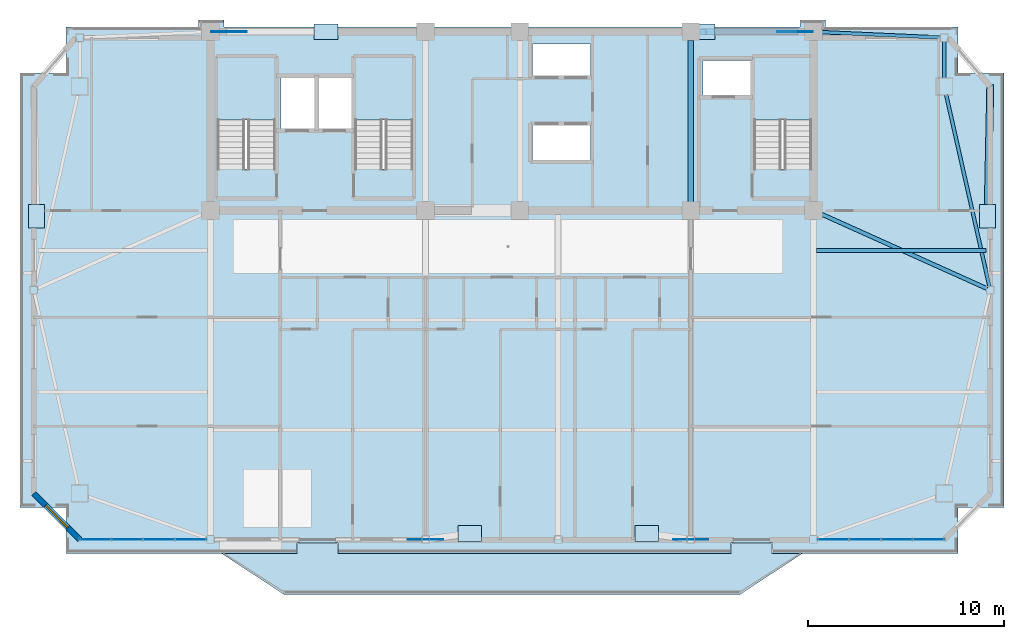
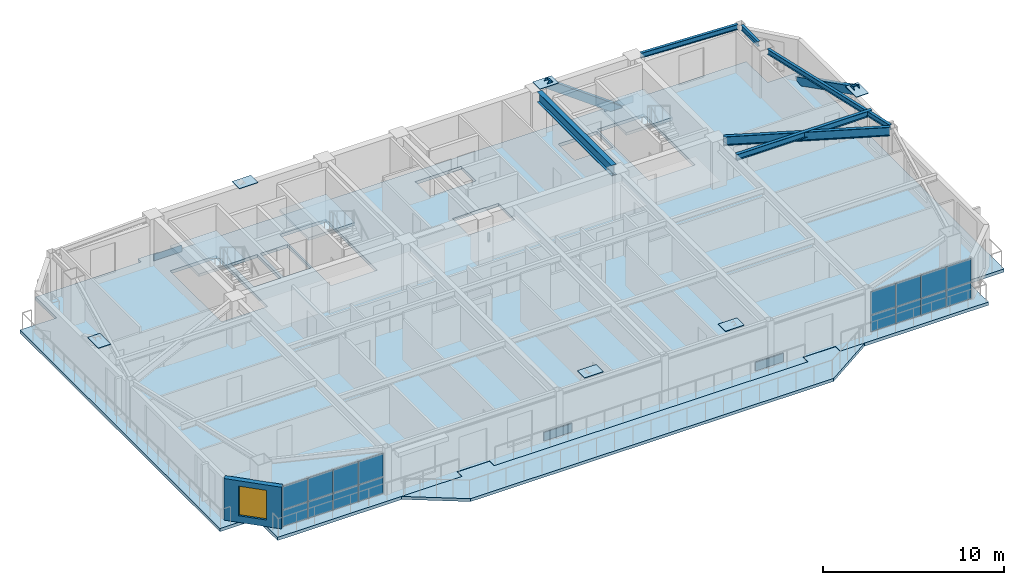
# One storey, part 5 of 14: 26 plates, 6 beams, 5 slabs, 2 members, 1 wall, 1 window, 1 opening, 5 elements without a shape of their own.
"""IFC4 building model written with IfcOpenShell, lengths in metres."""

from ifc_helpers import new_model, si_unit, direction, frame, frame_2d, origin, origin_2d, place, context, subcontext, project, spatial, polyline, rectangle, hollow_rectangle, i_section, outline, extrude, source, transform, mapped, material, layer, layer_set, material_profile, profile_set, type_object, element, fill, aggregate, save


model = new_model("IFC4")

# Units and contexts
model_context = context("Model", 3, precision=1e-05, world=origin(), true_north=direction((0.0, 1.0)))
body_context = subcontext(model_context, "Body", "Model", "MODEL_VIEW")
ifc_project = project(units=[si_unit("LENGTHUNIT", "METRE"), si_unit("AREAUNIT", "SQUARE_METRE"), si_unit("VOLUMEUNIT", "CUBIC_METRE"), si_unit("PLANEANGLEUNIT", "RADIAN"), si_unit("MASSUNIT", "GRAM", prefix="KILO")], contexts=[model_context])

# Site, building, storey
site_placement = place(None, origin())
site = spatial("IfcSite", under=ifc_project, at=site_placement, CompositionType="ELEMENT")
building_placement = place(site_placement, origin())
building = spatial("IfcBuilding", under=site, at=building_placement, Name="Giltprow Tower", CompositionType="ELEMENT")
storey_placement = place(building_placement, frame((0.0, 0.0, 314.199951171875)))
storey = spatial("IfcBuildingStorey", under=building, at=storey_placement, Name="L81", CompositionType="ELEMENT", Elevation=314.199951171875)

# Beams
ifc_material_1 = material(Name="Structural steel Q355B", Category="steel")
ifc_material_profile_1 = material_profile(ifc_material_1, i_section(OverallWidth=0.300048828125, OverallDepth=0.699951171875, WebThickness=0.012939453125, FlangeThickness=0.02392578125, at=origin_2d()), Name="HN 700x300x13x24")
ifc_profile_set_1 = profile_set([ifc_material_profile_1], Name="Structural steel Q355B")
beam_type_1 = type_object("IfcBeamType", Name="BM-GIRD-HN700", PredefinedType="BEAM", material=ifc_profile_set_1)
shared_shape_1 = source(origin(), body_context, "Body", "SweptSolid", [
    extrude(i_section(OverallWidth=0.300048828125, OverallDepth=0.699951171875, WebThickness=0.012939453125, FlangeThickness=0.02392578125, at=origin_2d()), origin(), (0.0, 0.0, 1.0), 8.22998046875),
])
beam_1_placement = place(storey_placement, frame((44.300048828125, 37.885009765625, 2.8349609375), z_axis=(0.0, 1.0, 0.0), x_axis=(-1.0, 0.0, 0.0)))
element("IfcBeam", 1, at=beam_1_placement, inside=storey, type_object=beam_type_1, Name="L81 Core Tie Girder M3", PredefinedType="BEAM", context=body_context, shape_type="MappedRepresentation", body=[
    mapped(shared_shape_1, transform((0.0, 0.0, 0.0), x_axis=(1.0, 0.0, 0.0), y_axis=(0.0, 1.0, 0.0), z_axis=(0.0, 0.0, 1.0), scale=1.0)),
])
ifc_material_profile_2 = material_profile(ifc_material_1, i_section(OverallWidth=0.175048828125, OverallDepth=0.35009765625, WebThickness=0.007080078125, FlangeThickness=0.010986328125, at=origin_2d()), Name="HN 350x175x7x11")
ifc_profile_set_2 = profile_set([ifc_material_profile_2], Name="Structural steel Q355B")
beam_type_2 = type_object("IfcBeamType", Name="BM-SPAN-HN350", PredefinedType="SPANDREL", material=ifc_profile_set_2)
shared_shape_2 = source(origin(), body_context, "Body", "SweptSolid", [
    extrude(i_section(OverallWidth=0.175048828125, OverallDepth=0.35009765625, WebThickness=0.007080078125, FlangeThickness=0.010986328125, at=origin_2d()), origin(), (0.0, 0.0, 1.0), 10.0009765625),
])
beam_2_placement = place(storey_placement, frame((59.5048828125, 33.58203125, 3.010009765625), z_axis=(-0.22006980481, 0.975484126478, 0.0), x_axis=(-0.975484126478, -0.22006980481, 0.0)))
element("IfcBeam", 2, at=beam_2_placement, inside=storey, type_object=beam_type_2, Name="L81 Perimeter Spandrel Beam E_MID-MC_NE", PredefinedType="SPANDREL", context=body_context, shape_type="MappedRepresentation", body=[
    mapped(shared_shape_2, transform((0.0, 0.0, 0.0), x_axis=(1.0, 0.0, 0.0), y_axis=(0.0, 1.0, 0.0), z_axis=(0.0, 0.0, 1.0), scale=1.0)),
])
shared_shape_3 = source(origin(), body_context, "Body", "SweptSolid", [
    extrude(i_section(OverallWidth=0.175048828125, OverallDepth=0.35009765625, WebThickness=0.007080078125, FlangeThickness=0.010986328125, at=origin_2d()), origin(), (0.0, 0.0, 1.0), 1.867919921875),
])
beam_3_placement = place(storey_placement, frame((57.2080078125, 44.197021484375, 3.010009765625), z_axis=(0.0, 1.0, 0.0), x_axis=(-1.0, 0.0, 0.0)))
element("IfcBeam", 3, at=beam_3_placement, inside=storey, type_object=beam_type_2, Name="L81 Perimeter Spandrel Beam MC_NE-N_E", PredefinedType="SPANDREL", context=body_context, shape_type="MappedRepresentation", body=[
    mapped(shared_shape_3, transform((0.0, 0.0, 0.0), x_axis=(1.0, 0.0, 0.0), y_axis=(0.0, 1.0, 0.0), z_axis=(0.0, 0.0, 1.0), scale=1.0)),
])
shared_shape_4 = source(origin(), body_context, "Body", "SweptSolid", [
    extrude(i_section(OverallWidth=0.175048828125, OverallDepth=0.35009765625, WebThickness=0.007080078125, FlangeThickness=0.010986328125, at=origin_2d()), origin(), (0.0, 0.0, 1.0), 6.0439453125),
])
beam_4_placement = place(storey_placement, frame((50.985107421875, 46.530029296875, 3.010009765625), z_axis=(0.998987029612, -0.044999051837, 0.0), x_axis=(0.044999051837, 0.998987029612, 0.0)))
element("IfcBeam", 4, at=beam_4_placement, inside=storey, type_object=beam_type_2, Name="L81 North Wing Spandrel E", PredefinedType="SPANDREL", context=body_context, shape_type="MappedRepresentation", body=[
    mapped(shared_shape_4, transform((0.0, 0.0, 0.0), x_axis=(1.0, 0.0, 0.0), y_axis=(0.0, 1.0, 0.0), z_axis=(0.0, 0.0, 1.0), scale=1.0)),
])
ifc_material_profile_3 = material_profile(ifc_material_1, i_section(OverallWidth=0.199951171875, OverallDepth=0.60009765625, WebThickness=0.010986328125, FlangeThickness=0.01708984375, at=origin_2d()), Name="HN 600x200x11x17")
ifc_profile_set_3 = profile_set([ifc_material_profile_3], Name="Structural steel Q355B")
beam_type_3 = type_object("IfcBeamType", Name="BM-GIRD-HN600", PredefinedType="BEAM", material=ifc_profile_set_3)
shared_shape_5 = source(origin(), body_context, "Body", "SweptSolid", [
    extrude(i_section(OverallWidth=0.199951171875, OverallDepth=0.60009765625, WebThickness=0.010986328125, FlangeThickness=0.01708984375, at=origin_2d()), origin(), (0.0, 0.0, 1.0), 9.243896484375),
])
beam_5_placement = place(storey_placement, frame((59.376953125, 33.47802734375, 2.885009765625), z_axis=(-0.911941765228, 0.410319652019, 0.0), x_axis=(-0.410319652019, -0.911941765228, 0.0)))
element("IfcBeam", 5, at=beam_5_placement, inside=storey, type_object=beam_type_3, Name="L81 East Wing Primary Girder", PredefinedType="BEAM", context=body_context, shape_type="MappedRepresentation", body=[
    mapped(shared_shape_5, transform((0.0, 0.0, 0.0), x_axis=(1.0, 0.0, 0.0), y_axis=(0.0, 1.0, 0.0), z_axis=(0.0, 0.0, 1.0), scale=1.0)),
])
ifc_material_profile_4 = material_profile(ifc_material_1, i_section(OverallWidth=0.199951171875, OverallDepth=0.39990234375, WebThickness=0.008056640625, FlangeThickness=0.012939453125, at=origin_2d()), Name="HN 400x200x8x13")
ifc_profile_set_4 = profile_set([ifc_material_profile_4], Name="Structural steel Q355B")
beam_type_4 = type_object("IfcBeamType", Name="BM-JOIST-HN400", PredefinedType="JOIST", material=ifc_profile_set_4)
shared_shape_6 = source(origin(), body_context, "Body", "SweptSolid", [
    extrude(i_section(OverallWidth=0.199951171875, OverallDepth=0.39990234375, WebThickness=0.008056640625, FlangeThickness=0.012939453125, at=origin_2d()), origin(), (0.0, 0.0, 1.0), 8.630859375),
])
beam_6_placement = place(storey_placement, frame((50.695068359375, 35.426025390625, 2.985107421875), z_axis=(1.0, 0.0, 0.0), x_axis=(0.0, 1.0, 0.0)))
element("IfcBeam", 6, at=beam_6_placement, inside=storey, type_object=beam_type_4, Name="L81 East Wing Floor Joist 2", PredefinedType="JOIST", context=body_context, shape_type="MappedRepresentation", body=[
    mapped(shared_shape_6, transform((0.0, 0.0, 0.0), x_axis=(1.0, 0.0, 0.0), y_axis=(0.0, 1.0, 0.0), z_axis=(0.0, 0.0, 1.0), scale=1.0)),
])

# Members
ifc_material_2 = material(Name="Structural steel Q420GJC", Category="steel")
ifc_material_profile_5 = material_profile(ifc_material_2, hollow_rectangle(XDim=0.35009765625, YDim=0.5, WallThickness=0.02392578125, at=origin_2d()), Name="RHS 500x350x24")
ifc_profile_set_5 = profile_set([ifc_material_profile_5], Name="Structural steel Q420GJC")
member_type = type_object("IfcMemberType", Name="MBR-MEGA-RHS500", PredefinedType="BRACE", material=ifc_profile_set_5)
shared_shape_7 = source(origin(), body_context, "Body", "SweptSolid", [
    extrude(hollow_rectangle(XDim=0.35009765625, YDim=0.5, WallThickness=0.02392578125, at=origin_2d()), origin(), (0.0, 0.0, 1.0), 5.774169921875),
])
member_1_placement = place(storey_placement, frame((49.60009765625, 46.550048828125, -0.139892578125), z_axis=(-0.808264093398, 0.0, 0.588820138348), x_axis=(0.0, -1.0, 0.0)))
element("IfcMember", 7, at=member_1_placement, inside=storey, type_object=member_type, Name="L81 Chevron Mega-Brace N-R", PredefinedType="BRACE", context=body_context, shape_type="MappedRepresentation", body=[
    mapped(shared_shape_7, transform((0.0, 0.0, 0.0), x_axis=(1.0, 0.0, 0.0), y_axis=(0.0, 1.0, 0.0), z_axis=(0.0, 0.0, 1.0), scale=1.0)),
])
shared_shape_8 = source(origin(), body_context, "Body", "SweptSolid", [
    extrude(hollow_rectangle(XDim=0.35009765625, YDim=0.5, WallThickness=0.02392578125, at=origin_2d()), origin(), (0.0, 0.0, 1.0), 7.435546875),
])
member_2_placement = place(storey_placement, frame((59.5458984375, 43.761962890625, 0.0), z_axis=(-0.018551504183, -0.889125985437, 0.457286369481), x_axis=(0.999782399503, -0.020860336634, 0.0)))
element("IfcMember", 8, at=member_2_placement, inside=storey, type_object=member_type, Name="L81 Chevron Mega-Brace E-D", PredefinedType="BRACE", context=body_context, shape_type="MappedRepresentation", body=[
    mapped(shared_shape_8, transform((0.0, 0.0, 0.0), x_axis=(1.0, 0.0, 0.0), y_axis=(0.0, 1.0, 0.0), z_axis=(0.0, 0.0, 1.0), scale=1.0)),
])

# Slabs
ifc_material_3 = material(Name="Concrete C40", Category="concrete")
ifc_layer_1 = layer(ifc_material_3, 0.199951171875, Name="Concrete C40")
ifc_layer_set_1 = layer_set([ifc_layer_1], Name="Concrete C40")
slab_type_1 = type_object("IfcSlabType", Name="SLB-BALC-BRONZE-200", PredefinedType="FLOOR", material=ifc_layer_set_1)
slab_1_placement = place(storey_placement, frame((0.0, 0.0, -0.199951171875)))
element("IfcSlab", 9, at=slab_1_placement, inside=storey, type_object=slab_type_1, Name="L81 Bronze Prow Waterfront Balcony Slab", PredefinedType="FLOOR", context=body_context, shape_type="SweptSolid", body=[
    extrude(outline(polyline([(50.0, 20.00390625), (46.800048828125, 17.904052734375), (23.60009765625, 17.904052734375), (20.39990234375, 20.00390625), (24.280029296875, 20.00390625), (24.280029296875, 20.50390625), (26.320068359375, 20.50390625), (26.320068359375, 20.00390625), (46.3798828125, 20.00390625), (46.3798828125, 20.50390625), (48.419921875, 20.50390625), (48.419921875, 20.00390625), (50.0, 20.00390625)])), origin(), (0.0, 0.0, 1.0), 0.199951171875),
])
ifc_layer_2 = layer(ifc_material_3, 0.215087890625, Name="Concrete C40")
ifc_layer_set_2 = layer_set([ifc_layer_2], Name="Concrete C40")
slab_type_2 = type_object("IfcSlabType", Name="SLB-RES-215", PredefinedType="FLOOR", material=ifc_layer_set_2)
slab_2_placement = place(storey_placement, frame((0.0, 0.0, -0.21484375)))
element("IfcSlab", 10, at=slab_2_placement, inside=storey, type_object=slab_type_2, Name="L81 Structural Composite Floor Slab", PredefinedType="FLOOR", context=body_context, shape_type="SweptSolid", body=[
    extrude(outline(polyline([(60.24609375, 44.4619140625), (60.24609375, 22.342041015625), (57.907958984375, 22.342041015625), (57.907958984375, 20.00390625), (48.449951171875, 20.00390625), (48.449951171875, 20.52392578125), (46.35009765625, 20.52392578125), (46.35009765625, 20.00390625), (26.35009765625, 20.00390625), (26.35009765625, 20.52392578125), (24.25, 20.52392578125), (24.25, 20.00390625), (12.492919921875, 20.00390625), (12.492919921875, 22.342041015625), (10.155029296875, 22.342041015625), (10.155029296875, 44.4619140625), (12.492919921875, 44.4619140625), (12.492919921875, 46.800048828125), (19.25, 46.800048828125), (19.25, 47.14990234375), (20.550048828125, 47.14990234375), (20.550048828125, 46.800048828125), (49.85009765625, 46.800048828125), (49.85009765625, 47.14990234375), (51.14990234375, 47.14990234375), (51.14990234375, 46.800048828125), (57.907958984375, 46.800048828125), (57.907958984375, 44.4619140625), (60.24609375, 44.4619140625)]), holes=[polyline([(39.18994140625, 41.800048828125), (36.239990234375, 41.800048828125), (36.239990234375, 40.0), (39.18994140625, 40.0), (39.18994140625, 41.800048828125)]), polyline([(23.159912109375, 39.570068359375), (23.159912109375, 45.25), (20.199951171875, 45.25), (20.199951171875, 39.570068359375), (23.159912109375, 39.570068359375)]), polyline([(30.159912109375, 39.570068359375), (30.159912109375, 45.25), (27.199951171875, 45.25), (27.199951171875, 39.570068359375), (30.159912109375, 39.570068359375)]), polyline([(50.4599609375, 45.25), (47.5, 45.25), (47.5, 39.570068359375), (50.4599609375, 39.570068359375), (50.4599609375, 45.25)]), polyline([(25.169921875, 44.199951171875), (23.449951171875, 44.199951171875), (23.449951171875, 41.60009765625), (25.169921875, 41.60009765625), (25.169921875, 44.199951171875)]), polyline([(27.10009765625, 44.199951171875), (25.35009765625, 44.199951171875), (25.35009765625, 41.60009765625), (27.10009765625, 41.60009765625), (27.10009765625, 44.199951171875)]), polyline([(47.3798828125, 43.300048828125), (47.3798828125, 45.10009765625), (44.919921875, 45.10009765625), (44.919921875, 43.300048828125), (47.3798828125, 43.300048828125)]), polyline([(39.18994140625, 44.300048828125), (39.18994140625, 45.919921875), (36.239990234375, 45.919921875), (36.239990234375, 44.300048828125), (39.18994140625, 44.300048828125)])]), origin(), (0.0, 0.0, 1.0), 0.21484375),
])

# Stair, slab
stair_type_1 = type_object("IfcStairType", Name="STR-ST-1", PredefinedType="HALF_TURN_STAIR", material=ifc_material_3)
stair_1_placement = place(storey_placement, origin())
stair_1 = element("IfcStair", 11, at=stair_1_placement, inside=storey, type_object=stair_type_1, Name="L81 Core Exit Stair ST-1", PredefinedType="HALF_TURN_STAIR")
ifc_layer_3 = layer(ifc_material_3, 0.179931640625, Name="Concrete C40")
ifc_layer_set_3 = layer_set([ifc_layer_3], Name="Concrete C40")
slab_type_3 = type_object("IfcSlabType", Name="SLD-ST-1", PredefinedType="LANDING", material=ifc_layer_set_3)
slab_3_placement = place(storey_placement, frame((0.0, 0.0, 1.52001953125)))
slab_3 = element("IfcSlab", 12, at=slab_3_placement, type_object=slab_type_3, Name="ST-1 landing 1", PredefinedType="LANDING", context=body_context, shape_type="SweptSolid", body=[
    extrude(outline(polyline([(23.159912109375, 42.070068359375), (23.159912109375, 45.25), (20.199951171875, 45.25), (20.199951171875, 42.070068359375), (23.159912109375, 42.070068359375)])), origin(), (0.0, 0.0, 1.0), 0.179931640625),
])
aggregate(stair_1, [slab_3])

stair_type_2 = type_object("IfcStairType", Name="STR-ST-2", PredefinedType="HALF_TURN_STAIR", material=ifc_material_3)
stair_2_placement = place(storey_placement, origin())
stair_2 = element("IfcStair", 13, at=stair_2_placement, inside=storey, type_object=stair_type_2, Name="L81 Core Exit Stair ST-2", PredefinedType="HALF_TURN_STAIR")
ifc_layer_4 = layer(ifc_material_3, 0.18798828125, Name="Concrete C40")
ifc_layer_set_4 = layer_set([ifc_layer_4], Name="Concrete C40")
slab_type_4 = type_object("IfcSlabType", Name="SLD-ST-2", PredefinedType="LANDING", material=ifc_layer_set_4)
slab_4_placement = place(storey_placement, frame((0.0, 0.0, 1.511962890625)))
slab_4 = element("IfcSlab", 14, at=slab_4_placement, type_object=slab_type_4, Name="ST-2 landing 1", PredefinedType="LANDING", context=body_context, shape_type="SweptSolid", body=[
    extrude(outline(polyline([(30.159912109375, 42.070068359375), (30.159912109375, 45.25), (27.199951171875, 45.25), (27.199951171875, 42.070068359375), (30.159912109375, 42.070068359375)])), origin(), (0.0, 0.0, 1.0), 0.18798828125),
])
aggregate(stair_2, [slab_4])

stair_type_3 = type_object("IfcStairType", Name="STR-ST-3", PredefinedType="HALF_TURN_STAIR", material=ifc_material_3)
stair_3_placement = place(storey_placement, origin())
stair_3 = element("IfcStair", 15, at=stair_3_placement, inside=storey, type_object=stair_type_3, Name="L81 Core Exit Stair ST-3", PredefinedType="HALF_TURN_STAIR")
ifc_layer_5 = layer(ifc_material_3, 0.196044921875, Name="Concrete C40")
ifc_layer_set_5 = layer_set([ifc_layer_5], Name="Concrete C40")
slab_type_5 = type_object("IfcSlabType", Name="SLD-ST-3", PredefinedType="LANDING", material=ifc_layer_set_5)
slab_5_placement = place(storey_placement, frame((0.0, 0.0, 1.504150390625)))
slab_5 = element("IfcSlab", 16, at=slab_5_placement, type_object=slab_type_5, Name="ST-3 landing 1", PredefinedType="LANDING", context=body_context, shape_type="SweptSolid", body=[
    extrude(outline(polyline([(50.4599609375, 42.070068359375), (50.4599609375, 45.25), (47.5, 45.25), (47.5, 42.070068359375), (50.4599609375, 42.070068359375)])), origin(), (0.0, 0.0, 1.0), 0.19580078125),
])
aggregate(stair_3, [slab_5])

# Plates
plate_type_1 = type_object("IfcPlateType", Name="PLT-NODE-MBN1", PredefinedType="USERDEFINED", material=ifc_material_2)
shared_shape_9 = source(origin(), body_context, "Body", "SweptSolid", [
    extrude(rectangle(XDim=1.800048828125, YDim=0.050048828125, at=origin_2d()), origin(), (0.0, 0.0, 1.0), 1.14990234375),
])
for number, where, z_axis, x_axis, name in (
    (17, (30.800048828125, 20.7041015625, -0.574951171875), (0.0, 0.0, 1.0), (1.0, 0.0, 0.0), "Mega-Brace Node L81-S-LA"),
    (18, (44.300048828125, 20.7041015625, -0.574951171875), (0.0, 0.0, 1.0), (1.0, 0.0, 0.0), "Mega-Brace Node L81-S-RA"),
    (19, (20.800048828125, 46.550048828125, -0.71484375), (0.0, 0.0, 1.0), (1.0, 0.0, 0.0), "Mega-Brace Node L81-N-LA"),
    (20, (49.60009765625, 46.550048828125, -0.71484375), (0.0, 0.0, 1.0), (1.0, 0.0, 0.0), "Mega-Brace Node L81-N-RA"),
):
    element("IfcPlate", number, at=place(storey_placement, frame(where, z_axis=z_axis, x_axis=x_axis)), inside=storey, type_object=plate_type_1, Name=name, ObjectType="GUSSET", PredefinedType="USERDEFINED", context=body_context, shape_type="MappedRepresentation", body=[
        mapped(shared_shape_9, transform((0.0, 0.0, 0.0), x_axis=(1.0, 0.0, 0.0), y_axis=(0.0, 1.0, 0.0), z_axis=(0.0, 0.0, 1.0), scale=1.0)),
    ])
plate_type_2 = type_object("IfcPlateType", Name="PLT-CAP-SEAL", PredefinedType="USERDEFINED", material=ifc_material_2)
shared_shape_10 = source(origin(), body_context, "Body", "SweptSolid", [
    extrude(rectangle(XDim=1.199951171875, YDim=0.800048828125, at=origin_2d()), origin(), (0.0, 0.0, 1.0), 0.034912109375),
])
for number, where, z_axis, x_axis, name in (
    (21, (33.050048828125, 21.014892578125, 3.3828125), (0.0, 0.0, 1.0), (1.0, 0.0, 0.0), "Mega-Brace Node L81-S-LB"),
    (22, (42.050048828125, 21.014892578125, 3.3828125), (0.0, 0.0, 1.0), (1.0, 0.0, 0.0), "Mega-Brace Node L81-S-RB"),
    (23, (25.73291015625, 46.550048828125, 3.24267578125), (0.0, 0.0, 1.0), (1.0, 0.0, 0.0), "Mega-Brace Node L81-N-LB"),
    (24, (44.93310546875, 46.550048828125, 3.24267578125), (0.0, 0.0, 1.0), (1.0, 0.0, 0.0), "Mega-Brace Node L81-N-RB"),
    (25, (10.992919921875, 37.15087890625, 3.3828125), (0.0, 0.0, 1.0), (0.0, 1.0, 0.0), "Mega-Brace Node L81-W-DB"),
    (26, (59.407958984375, 37.15087890625, 3.3828125), (0.0, 0.0, 1.0), (0.0, 1.0, 0.0), "Mega-Brace Node L81-E-DB"),
):
    element("IfcPlate", number, at=place(storey_placement, frame(where, z_axis=z_axis, x_axis=x_axis)), inside=storey, type_object=plate_type_2, Name=name, ObjectType="SPLICE", PredefinedType="USERDEFINED", context=body_context, shape_type="MappedRepresentation", body=[
        mapped(shared_shape_10, transform((0.0, 0.0, 0.0), x_axis=(1.0, 0.0, 0.0), y_axis=(0.0, 1.0, 0.0), z_axis=(0.0, 0.0, 1.0), scale=1.0)),
    ])

# Curtain wall, plates
ifc_material_4 = material(Name="Anodized bronze", Category="metal")
ifc_layer_6 = layer(ifc_material_4, 0.179931640625, Name="Anodized bronze")
ifc_layer_set_6 = layer_set([ifc_layer_6], Name="Anodized bronze")
curtain_wall_type = type_object("IfcCurtainWallType", Name="CW-RES-SKY", PredefinedType="NOTDEFINED", material=ifc_layer_set_6)
curtain_wall_1_placement = place(storey_placement, origin())
curtain_wall_1 = element("IfcCurtainWall", 27, at=curtain_wall_1_placement, inside=storey, type_object=curtain_wall_type, Name="L81 South Recessed Curtain Wall 1", PredefinedType="NOTDEFINED")
ifc_material_5 = material(Name="Insulated glass", Category="glass")
plate_type_3 = type_object("IfcPlateType", Name="CW-PANEL-IGU-28", PredefinedType="CURTAIN_PANEL", material=ifc_material_5)
shared_shape_11 = source(origin(), body_context, "Body", "SweptSolid", [
    extrude(rectangle(XDim=1.583984375, YDim=0.028076171875, at=origin_2d()), origin(), (0.0, 0.0, 1.0), 1.114013671875),
])
plate_1_placement = place(storey_placement, frame((14.0, 20.7041015625, 0.05419921875), z_axis=(0.0, 0.0, 1.0), x_axis=(1.0, 0.0, 0.0)))
plate_1 = element("IfcPlate", 28, at=plate_1_placement, type_object=plate_type_3, Name="L81 South Recessed Curtain Wall 1 Glazing Panel 1-1", PredefinedType="CURTAIN_PANEL", context=body_context, shape_type="MappedRepresentation", body=[
    mapped(shared_shape_11, transform((0.0, 0.0, 0.0), x_axis=(1.0, 0.0, 0.0), y_axis=(0.0, 1.0, 0.0), z_axis=(0.0, 0.0, 1.0), scale=1.0)),
])
plate_2_placement = place(storey_placement, frame((15.614013671875, 20.7041015625, 0.05419921875), z_axis=(0.0, 0.0, 1.0), x_axis=(1.0, 0.0, 0.0)))
plate_2 = element("IfcPlate", 29, at=plate_2_placement, type_object=plate_type_3, Name="L81 South Recessed Curtain Wall 1 Glazing Panel 2-1", PredefinedType="CURTAIN_PANEL", context=body_context, shape_type="MappedRepresentation", body=[
    mapped(shared_shape_11, transform((0.0, 0.0, 0.0), x_axis=(1.0, 0.0, 0.0), y_axis=(0.0, 1.0, 0.0), z_axis=(0.0, 0.0, 1.0), scale=1.0)),
])
plate_3_placement = place(storey_placement, frame((17.22900390625, 20.7041015625, 0.05419921875), z_axis=(0.0, 0.0, 1.0), x_axis=(1.0, 0.0, 0.0)))
plate_3 = element("IfcPlate", 30, at=plate_3_placement, type_object=plate_type_3, Name="L81 South Recessed Curtain Wall 1 Glazing Panel 3-1", PredefinedType="CURTAIN_PANEL", context=body_context, shape_type="MappedRepresentation", body=[
    mapped(shared_shape_11, transform((0.0, 0.0, 0.0), x_axis=(1.0, 0.0, 0.0), y_axis=(0.0, 1.0, 0.0), z_axis=(0.0, 0.0, 1.0), scale=1.0)),
])
plate_4_placement = place(storey_placement, frame((18.843017578125, 20.7041015625, 0.05419921875), z_axis=(0.0, 0.0, 1.0), x_axis=(1.0, 0.0, 0.0)))
plate_4 = element("IfcPlate", 31, at=plate_4_placement, type_object=plate_type_3, Name="L81 South Recessed Curtain Wall 1 Glazing Panel 4-1", PredefinedType="CURTAIN_PANEL", context=body_context, shape_type="MappedRepresentation", body=[
    mapped(shared_shape_11, transform((0.0, 0.0, 0.0), x_axis=(1.0, 0.0, 0.0), y_axis=(0.0, 1.0, 0.0), z_axis=(0.0, 0.0, 1.0), scale=1.0)),
])

# Curtain wall, plate
curtain_wall_2_placement = place(storey_placement, origin())
curtain_wall_2 = element("IfcCurtainWall", 32, at=curtain_wall_2_placement, inside=storey, type_object=curtain_wall_type, Name="L81 South Recessed Curtain Wall 6", PredefinedType="NOTDEFINED")
plate_5_placement = place(storey_placement, frame((51.556884765625, 20.7041015625, 0.05419921875), z_axis=(0.0, 0.0, 1.0), x_axis=(1.0, 0.0, 0.0)))
plate_5 = element("IfcPlate", 33, at=plate_5_placement, type_object=plate_type_3, Name="L81 South Recessed Curtain Wall 6 Glazing Panel 1-1", PredefinedType="CURTAIN_PANEL", context=body_context, shape_type="MappedRepresentation", body=[
    mapped(shared_shape_11, transform((0.0, 0.0, 0.0), x_axis=(1.0, 0.0, 0.0), y_axis=(0.0, 1.0, 0.0), z_axis=(0.0, 0.0, 1.0), scale=1.0)),
])

# Plate
shared_shape_12 = source(origin(), body_context, "Body", "SweptSolid", [
    extrude(rectangle(XDim=1.583984375, YDim=0.028076171875, at=origin_2d()), origin(), (0.0, 0.0, 1.0), 1.56494140625),
])
plate_6_placement = place(storey_placement, frame((14.0, 20.7041015625, 1.195556640625), z_axis=(0.0, 0.0, 1.0), x_axis=(1.0, 0.0, 0.0)))
plate_6 = element("IfcPlate", 34, at=plate_6_placement, type_object=plate_type_3, Name="L81 South Recessed Curtain Wall 1 Glazing Panel 1-2", PredefinedType="CURTAIN_PANEL", context=body_context, shape_type="MappedRepresentation", body=[
    mapped(shared_shape_12, transform((0.0, 0.0, 0.0), x_axis=(1.0, 0.0, 0.0), y_axis=(0.0, 1.0, 0.0), z_axis=(0.0, 0.0, 1.0), scale=1.0)),
])

plate_7_placement = place(storey_placement, frame((15.614013671875, 20.7041015625, 1.195556640625), z_axis=(0.0, 0.0, 1.0), x_axis=(1.0, 0.0, 0.0)))
plate_7 = element("IfcPlate", 35, at=plate_7_placement, type_object=plate_type_3, Name="L81 South Recessed Curtain Wall 1 Glazing Panel 2-2", PredefinedType="CURTAIN_PANEL", context=body_context, shape_type="MappedRepresentation", body=[
    mapped(shared_shape_12, transform((0.0, 0.0, 0.0), x_axis=(1.0, 0.0, 0.0), y_axis=(0.0, 1.0, 0.0), z_axis=(0.0, 0.0, 1.0), scale=1.0)),
])

plate_8_placement = place(storey_placement, frame((17.22900390625, 20.7041015625, 1.195556640625), z_axis=(0.0, 0.0, 1.0), x_axis=(1.0, 0.0, 0.0)))
plate_8 = element("IfcPlate", 36, at=plate_8_placement, type_object=plate_type_3, Name="L81 South Recessed Curtain Wall 1 Glazing Panel 3-2", PredefinedType="CURTAIN_PANEL", context=body_context, shape_type="MappedRepresentation", body=[
    mapped(shared_shape_12, transform((0.0, 0.0, 0.0), x_axis=(1.0, 0.0, 0.0), y_axis=(0.0, 1.0, 0.0), z_axis=(0.0, 0.0, 1.0), scale=1.0)),
])

plate_9_placement = place(storey_placement, frame((18.843017578125, 20.7041015625, 1.195556640625), z_axis=(0.0, 0.0, 1.0), x_axis=(1.0, 0.0, 0.0)))
plate_9 = element("IfcPlate", 37, at=plate_9_placement, type_object=plate_type_3, Name="L81 South Recessed Curtain Wall 1 Glazing Panel 4-2", PredefinedType="CURTAIN_PANEL", context=body_context, shape_type="MappedRepresentation", body=[
    mapped(shared_shape_12, transform((0.0, 0.0, 0.0), x_axis=(1.0, 0.0, 0.0), y_axis=(0.0, 1.0, 0.0), z_axis=(0.0, 0.0, 1.0), scale=1.0)),
])

aggregate(curtain_wall_1, [plate_1, plate_6, plate_2, plate_7, plate_3, plate_8, plate_4, plate_9])

plate_10_placement = place(storey_placement, frame((51.556884765625, 20.7041015625, 1.195556640625), z_axis=(0.0, 0.0, 1.0), x_axis=(1.0, 0.0, 0.0)))
plate_10 = element("IfcPlate", 38, at=plate_10_placement, type_object=plate_type_3, Name="L81 South Recessed Curtain Wall 6 Glazing Panel 1-2", PredefinedType="CURTAIN_PANEL", context=body_context, shape_type="MappedRepresentation", body=[
    mapped(shared_shape_12, transform((0.0, 0.0, 0.0), x_axis=(1.0, 0.0, 0.0), y_axis=(0.0, 1.0, 0.0), z_axis=(0.0, 0.0, 1.0), scale=1.0)),
])

shared_shape_13 = source(origin(), body_context, "Body", "SweptSolid", [
    extrude(rectangle(XDim=1.5849609375, YDim=0.028076171875, at=origin_2d()), origin(), (0.0, 0.0, 1.0), 1.114013671875),
])
plate_11_placement = place(storey_placement, frame((53.172119140625, 20.7041015625, 0.05419921875), z_axis=(0.0, 0.0, 1.0), x_axis=(1.0, 0.0, 0.0)))
plate_11 = element("IfcPlate", 39, at=plate_11_placement, type_object=plate_type_3, Name="L81 South Recessed Curtain Wall 6 Glazing Panel 2-1", PredefinedType="CURTAIN_PANEL", context=body_context, shape_type="MappedRepresentation", body=[
    mapped(shared_shape_13, transform((0.0, 0.0, 0.0), x_axis=(1.0, 0.0, 0.0), y_axis=(0.0, 1.0, 0.0), z_axis=(0.0, 0.0, 1.0), scale=1.0)),
])

plate_12_placement = place(storey_placement, frame((54.785888671875, 20.7041015625, 0.05419921875), z_axis=(0.0, 0.0, 1.0), x_axis=(1.0, 0.0, 0.0)))
plate_12 = element("IfcPlate", 40, at=plate_12_placement, type_object=plate_type_3, Name="L81 South Recessed Curtain Wall 6 Glazing Panel 3-1", PredefinedType="CURTAIN_PANEL", context=body_context, shape_type="MappedRepresentation", body=[
    mapped(shared_shape_13, transform((0.0, 0.0, 0.0), x_axis=(1.0, 0.0, 0.0), y_axis=(0.0, 1.0, 0.0), z_axis=(0.0, 0.0, 1.0), scale=1.0)),
])

plate_13_placement = place(storey_placement, frame((56.40087890625, 20.7041015625, 0.05419921875), z_axis=(0.0, 0.0, 1.0), x_axis=(1.0, 0.0, 0.0)))
plate_13 = element("IfcPlate", 41, at=plate_13_placement, type_object=plate_type_3, Name="L81 South Recessed Curtain Wall 6 Glazing Panel 4-1", PredefinedType="CURTAIN_PANEL", context=body_context, shape_type="MappedRepresentation", body=[
    mapped(shared_shape_13, transform((0.0, 0.0, 0.0), x_axis=(1.0, 0.0, 0.0), y_axis=(0.0, 1.0, 0.0), z_axis=(0.0, 0.0, 1.0), scale=1.0)),
])

shared_shape_14 = source(origin(), body_context, "Body", "SweptSolid", [
    extrude(rectangle(XDim=1.5849609375, YDim=0.028076171875, at=origin_2d()), origin(), (0.0, 0.0, 1.0), 1.56494140625),
])
plate_14_placement = place(storey_placement, frame((53.172119140625, 20.7041015625, 1.195556640625), z_axis=(0.0, 0.0, 1.0), x_axis=(1.0, 0.0, 0.0)))
plate_14 = element("IfcPlate", 42, at=plate_14_placement, type_object=plate_type_3, Name="L81 South Recessed Curtain Wall 6 Glazing Panel 2-2", PredefinedType="CURTAIN_PANEL", context=body_context, shape_type="MappedRepresentation", body=[
    mapped(shared_shape_14, transform((0.0, 0.0, 0.0), x_axis=(1.0, 0.0, 0.0), y_axis=(0.0, 1.0, 0.0), z_axis=(0.0, 0.0, 1.0), scale=1.0)),
])

plate_15_placement = place(storey_placement, frame((54.785888671875, 20.7041015625, 1.195556640625), z_axis=(0.0, 0.0, 1.0), x_axis=(1.0, 0.0, 0.0)))
plate_15 = element("IfcPlate", 43, at=plate_15_placement, type_object=plate_type_3, Name="L81 South Recessed Curtain Wall 6 Glazing Panel 3-2", PredefinedType="CURTAIN_PANEL", context=body_context, shape_type="MappedRepresentation", body=[
    mapped(shared_shape_14, transform((0.0, 0.0, 0.0), x_axis=(1.0, 0.0, 0.0), y_axis=(0.0, 1.0, 0.0), z_axis=(0.0, 0.0, 1.0), scale=1.0)),
])

plate_16_placement = place(storey_placement, frame((56.40087890625, 20.7041015625, 1.195556640625), z_axis=(0.0, 0.0, 1.0), x_axis=(1.0, 0.0, 0.0)))
plate_16 = element("IfcPlate", 44, at=plate_16_placement, type_object=plate_type_3, Name="L81 South Recessed Curtain Wall 6 Glazing Panel 4-2", PredefinedType="CURTAIN_PANEL", context=body_context, shape_type="MappedRepresentation", body=[
    mapped(shared_shape_14, transform((0.0, 0.0, 0.0), x_axis=(1.0, 0.0, 0.0), y_axis=(0.0, 1.0, 0.0), z_axis=(0.0, 0.0, 1.0), scale=1.0)),
])

aggregate(curtain_wall_2, [plate_5, plate_10, plate_11, plate_14, plate_12, plate_15, plate_13, plate_16])

# Wall, opening, window
ifc_material_6 = material(Name="Precast concrete C40", Category="concrete")
ifc_layer_7 = layer(ifc_material_6, 0.300048828125, Name="Precast concrete C40")
ifc_layer_set_7 = layer_set([ifc_layer_7], Name="Precast concrete C40")
wall_type = type_object("IfcWallType", Name="EW-NOTCH-CHAMFER-300", PredefinedType="SOLIDWALL", material=ifc_layer_set_7)
wall_placement = place(storey_placement, frame((10.85498046875, 23.0419921875, 0.0), z_axis=(0.0, 0.0, 1.0), x_axis=(0.707143699075, -0.70706986137, 0.0)))
wall = element("IfcWall", 45, at=wall_placement, inside=storey, type_object=wall_type, Name="L81 Corner Notch Wall SW", PredefinedType="SOLIDWALL", context=body_context, shape_type="SweptSolid", body=[
    extrude(rectangle(XDim=3.306396484375, YDim=0.300048828125, at=frame_2d((1.6533203125, 0.0))), origin(), (0.0, 0.0, 1.0), 2.81494140625),
])
opening_placement = place(wall_placement, frame((0.85302734375, 0.0, 0.449951171875)))
opening = element("IfcOpeningElement", 46, at=opening_placement, cuts=wall, Name="Opening WN17", PredefinedType="OPENING", context=body_context, shape_type="SweptSolid", body=[
    extrude(rectangle(XDim=1.60009765625, YDim=2.0, at=frame_2d((0.800048828125, 1.0))), frame((0.0, 0.159912109375, 0.0), z_axis=(0.0, -1.0, 0.0), x_axis=(1.0, 0.0, 0.0)), (0.0, 0.0, 1.0), 0.320068359375),
])
window_type = type_object("IfcWindowType", Name="WN-COR-1600x2000", PartitioningType="SINGLE_PANEL", PredefinedType="WINDOW", material=ifc_material_5)
shared_shape_15 = source(origin(), body_context, "Body", "SweptSolid", [
    extrude(rectangle(XDim=1.60009765625, YDim=2.0, at=frame_2d((0.800048828125, 1.0))), frame((0.0, 0.030029296875, 0.0), z_axis=(0.0, -1.0, 0.0), x_axis=(1.0, 0.0, 0.0)), (0.0, 0.0, 1.0), 0.06005859375),
])
window_placement = place(opening_placement, origin())
window = element("IfcWindow", 47, at=window_placement, inside=storey, type_object=window_type, Name="L81 Corner Notch Window SW", OverallHeight=2.0, OverallWidth=1.60009765625, PartitioningType="SINGLE_PANEL", PredefinedType="WINDOW", context=body_context, shape_type="MappedRepresentation", body=[
    mapped(shared_shape_15, transform((0.0, 0.0, 0.0), x_axis=(1.0, 0.0, 0.0), y_axis=(0.0, 1.0, 0.0), z_axis=(0.0, 0.0, 1.0), scale=1.0)),
])
fill(opening, window)

save(model, "model.ifc")
